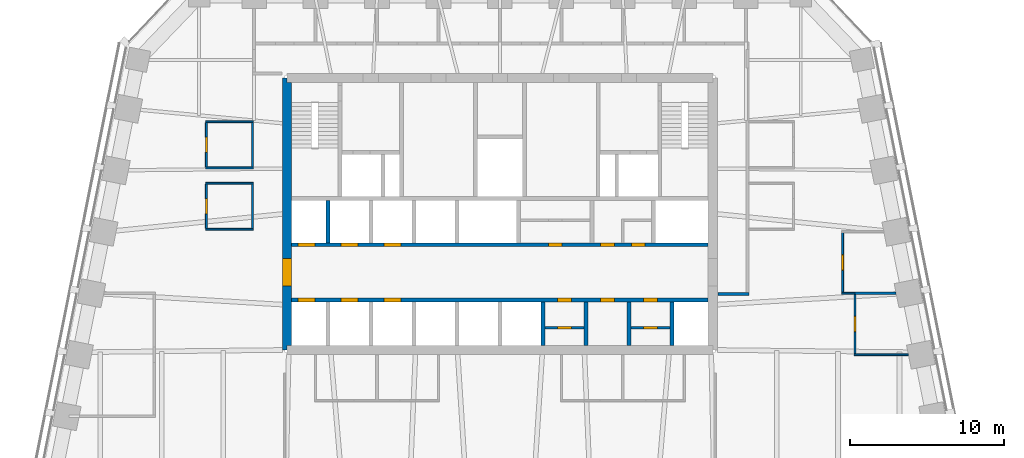
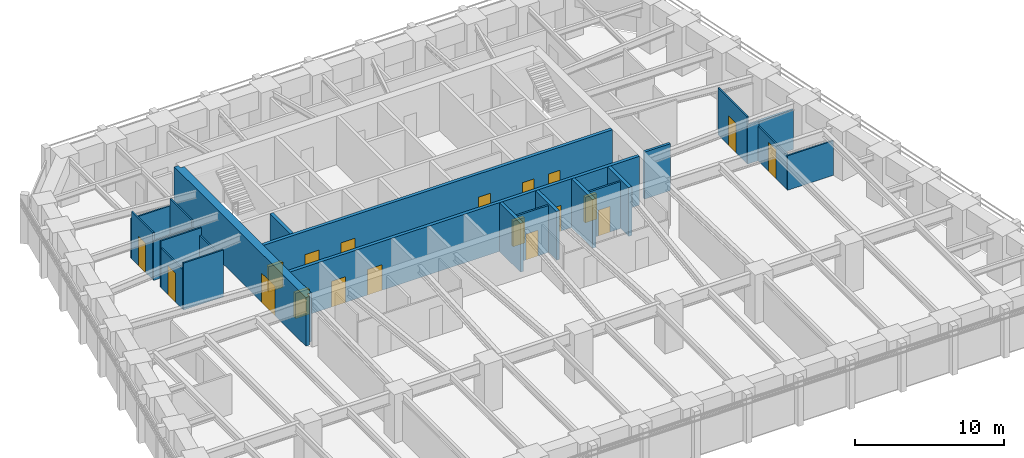
# One storey, part 6 of 10: 24 walls, 19 doors, 19 openings.
"""IFC4 building model written with IfcOpenShell, lengths in metres."""

from ifc_helpers import new_model, si_unit, direction, frame, frame_2d, origin, place, context, subcontext, project, spatial, polyline, rectangle, outline, extrude, material, layer, layer_set, type_object, element, fill, save


model = new_model("IFC4")

# Units and contexts
model_context = context("Model", 3, precision=1e-05, world=origin(), true_north=direction((0.0, 1.0)))
body_context = subcontext(model_context, "Body", "Model", "MODEL_VIEW")
ifc_project = project(units=[si_unit("LENGTHUNIT", "METRE"), si_unit("AREAUNIT", "SQUARE_METRE"), si_unit("VOLUMEUNIT", "CUBIC_METRE"), si_unit("PLANEANGLEUNIT", "RADIAN"), si_unit("MASSUNIT", "GRAM", prefix="KILO")], contexts=[model_context])

# Site, building, storey
site_placement = place(None, origin())
site = spatial("IfcSite", under=ifc_project, at=site_placement, CompositionType="ELEMENT")
building_placement = place(site_placement, origin())
building = spatial("IfcBuilding", under=site, at=building_placement, Name="Isbrekke Arena Tower", CompositionType="ELEMENT")
storey_placement = place(building_placement, frame((0.0, 0.0, 218.0)))
storey = spatial("IfcBuildingStorey", under=building, at=storey_placement, Name="L50", CompositionType="ELEMENT", Elevation=218.0)

# Wall, opening, door
ifc_material_1 = material(Name="Concrete B55 (C55/67)", Category="concrete")
ifc_layer_1 = layer(ifc_material_1, 0.60009765625)
ifc_layer_set_1 = layer_set([ifc_layer_1], Name="CW4 CORE WALL 600")
wall_type_1 = type_object("IfcWallType", Name="CW4 CORE WALL 600", PredefinedType="SHEAR", material=ifc_layer_set_1)
wall_1_placement = place(storey_placement, frame((-13.85009765625, 23.85009765625, 0.0), z_axis=(0.0, 0.0, 1.0), x_axis=(0.0, -1.0, 0.0)))
wall_1 = element("IfcWall", 1, at=wall_1_placement, inside=storey, type_object=wall_type_1, Name="Core wall W L50", PredefinedType="SHEAR", context=body_context, shape_type="SweptSolid", body=[
    extrude(outline(polyline([(0.0, -0.300048828125), (17.7001953125, -0.300048828125), (17.7001953125, 0.0), (17.400146484375, 0.0), (17.400146484375, 0.300048828125), (0.300048828125, 0.300048828125), (0.300048828125, 0.0), (0.0, 0.0), (0.0, -0.300048828125)])), origin(), (0.0, 0.0, 1.0), 4.0),
])
opening_1_placement = place(wall_1_placement, frame((11.75, 0.0, 0.0)))
opening_1 = element("IfcOpeningElement", 2, at=opening_1_placement, cuts=wall_1, Name="Opening D1", PredefinedType="OPENING", context=body_context, shape_type="SweptSolid", body=[
    extrude(rectangle(XDim=1.800048828125, YDim=2.39990234375, at=frame_2d((0.89990234375, 1.199951171875))), frame((0.0, 0.31494140625, 0.0), z_axis=(0.0, -1.0, 0.0), x_axis=(1.0, 0.0, 0.0)), (0.0, 0.0, 1.0), 0.6298828125),
])
ifc_material_2 = material(Name="Steel-framed glazed fire door", Category="steel")
door_type_1 = type_object("IfcDoorType", Name="D1 CORE LOBBY DOOR 1800 x 2400", OperationType="DOUBLE_DOOR_SINGLE_SWING", PredefinedType="DOOR", material=ifc_material_2)
door_1_placement = place(opening_1_placement, origin())
door_1 = element("IfcDoor", 3, at=door_1_placement, inside=storey, type_object=door_type_1, Name="D1 lift lobby door west L50", OperationType="DOUBLE_DOOR_SINGLE_SWING", OverallHeight=2.39990234375, OverallWidth=1.800048828125, PredefinedType="DOOR", context=body_context, shape_type="SweptSolid", body=[
    extrude(rectangle(XDim=1.800048828125, YDim=2.39990234375, at=frame_2d((0.89990234375, 1.199951171875))), frame((0.0, 0.2998046875, 0.0), z_axis=(0.0, -1.0, 0.0), x_axis=(1.0, 0.0, 0.0)), (0.0, 0.0, 1.0), 0.599609375),
])
fill(opening_1, door_1)

# Wall, openings, doors
ifc_material_3 = material(Name="Concrete B45 (C45/55)", Category="concrete")
ifc_layer_2 = layer(ifc_material_3, 0.25)
ifc_layer_set_2 = layer_set([ifc_layer_2], Name="CW6 SHAFT WALL 250")
wall_type_2 = type_object("IfcWallType", Name="CW6 SHAFT WALL 250", PredefinedType="SHEAR", material=ifc_layer_set_2)
wall_2_placement = place(storey_placement, frame((-13.550048828125, 9.39990234375, 0.0), z_axis=(0.0, 0.0, 1.0), x_axis=(1.0, 0.0, 0.0)))
wall_2 = element("IfcWall", 4, at=wall_2_placement, inside=storey, type_object=wall_type_2, Name="Core wall LS L50", PredefinedType="SHEAR", context=body_context, shape_type="SweptSolid", body=[
    extrude(rectangle(XDim=27.10009765625, YDim=0.25, at=frame_2d((13.550048828125, 0.0))), origin(), (0.0, 0.0, 1.0), 4.0),
])
opening_2_placement = place(wall_2_placement, frame((0.39990234375, 0.0, 0.0)))
opening_2 = element("IfcOpeningElement", 5, at=opening_2_placement, cuts=wall_2, Name="Opening LD1", PredefinedType="OPENING", context=body_context, shape_type="SweptSolid", body=[
    extrude(rectangle(XDim=1.10009765625, YDim=2.10009765625, at=frame_2d((0.550048828125, 1.050048828125))), frame((0.0, 0.139892578125, 0.0), z_axis=(0.0, -1.0, 0.0), x_axis=(1.0, 0.0, 0.0)), (0.0, 0.0, 1.0), 0.27978515625),
])
opening_3_placement = place(wall_2_placement, frame((3.199951171875, 0.0, 0.0)))
opening_3 = element("IfcOpeningElement", 6, at=opening_3_placement, cuts=wall_2, Name="Opening LD1", PredefinedType="OPENING", context=body_context, shape_type="SweptSolid", body=[
    extrude(rectangle(XDim=1.10009765625, YDim=2.10009765625, at=frame_2d((0.550048828125, 1.050048828125))), frame((0.0, 0.139892578125, 0.0), z_axis=(0.0, -1.0, 0.0), x_axis=(1.0, 0.0, 0.0)), (0.0, 0.0, 1.0), 0.27978515625),
])
opening_4_placement = place(wall_2_placement, frame((6.0, 0.0, 0.0)))
opening_4 = element("IfcOpeningElement", 7, at=opening_4_placement, cuts=wall_2, Name="Opening LD1", PredefinedType="OPENING", context=body_context, shape_type="SweptSolid", body=[
    extrude(rectangle(XDim=1.10009765625, YDim=2.10009765625, at=frame_2d((0.550048828125, 1.050048828125))), frame((0.0, 0.139892578125, 0.0), z_axis=(0.0, -1.0, 0.0), x_axis=(1.0, 0.0, 0.0)), (0.0, 0.0, 1.0), 0.27978515625),
])
opening_5_placement = place(wall_2_placement, frame((17.300048828125, 0.0, 0.0)))
opening_5 = element("IfcOpeningElement", 8, at=opening_5_placement, cuts=wall_2, Name="Opening D5", PredefinedType="OPENING", context=body_context, shape_type="SweptSolid", body=[
    extrude(rectangle(XDim=0.89990234375, YDim=2.10009765625, at=frame_2d((0.449951171875, 1.050048828125))), frame((0.0, 0.139892578125, 0.0), z_axis=(0.0, -1.0, 0.0), x_axis=(1.0, 0.0, 0.0)), (0.0, 0.0, 1.0), 0.27978515625),
])
opening_6_placement = place(wall_2_placement, frame((20.10009765625, 0.0, 0.0)))
opening_6 = element("IfcOpeningElement", 9, at=opening_6_placement, cuts=wall_2, Name="Opening D5", PredefinedType="OPENING", context=body_context, shape_type="SweptSolid", body=[
    extrude(rectangle(XDim=0.89990234375, YDim=2.10009765625, at=frame_2d((0.449951171875, 1.050048828125))), frame((0.0, 0.139892578125, 0.0), z_axis=(0.0, -1.0, 0.0), x_axis=(1.0, 0.0, 0.0)), (0.0, 0.0, 1.0), 0.27978515625),
])
opening_7_placement = place(wall_2_placement, frame((22.89990234375, 0.0, 0.0)))
opening_7 = element("IfcOpeningElement", 10, at=opening_7_placement, cuts=wall_2, Name="Opening D5", PredefinedType="OPENING", context=body_context, shape_type="SweptSolid", body=[
    extrude(rectangle(XDim=0.89990234375, YDim=2.10009765625, at=frame_2d((0.449951171875, 1.050048828125))), frame((0.0, 0.139892578125, 0.0), z_axis=(0.0, -1.0, 0.0), x_axis=(1.0, 0.0, 0.0)), (0.0, 0.0, 1.0), 0.27978515625),
])
ifc_material_4 = material(Name="Steel fire door", Category="steel")
door_type_2 = type_object("IfcDoorType", Name="D5 SERVICE DOOR 900 x 2100", OperationType="SINGLE_SWING_LEFT", PredefinedType="DOOR", material=ifc_material_4)
door_2_placement = place(opening_5_placement, origin())
door_2 = element("IfcDoor", 11, at=door_2_placement, inside=storey, type_object=door_type_2, Name="D5 tea point door L50", OperationType="SINGLE_SWING_LEFT", OverallHeight=2.10009765625, OverallWidth=0.89990234375, PredefinedType="DOOR", context=body_context, shape_type="SweptSolid", body=[
    extrude(rectangle(XDim=0.89990234375, YDim=2.10009765625, at=frame_2d((0.449951171875, 1.050048828125))), frame((0.0, 0.124755859375, 0.0), z_axis=(0.0, -1.0, 0.0), x_axis=(1.0, 0.0, 0.0)), (0.0, 0.0, 1.0), 0.24951171875),
])
fill(opening_5, door_2)
door_3_placement = place(opening_6_placement, origin())
door_3 = element("IfcDoor", 12, at=door_3_placement, inside=storey, type_object=door_type_2, Name="D5 technical room door L50", OperationType="SINGLE_SWING_LEFT", OverallHeight=2.10009765625, OverallWidth=0.89990234375, PredefinedType="DOOR", context=body_context, shape_type="SweptSolid", body=[
    extrude(rectangle(XDim=0.89990234375, YDim=2.10009765625, at=frame_2d((0.449951171875, 1.050048828125))), frame((0.0, 0.124755859375, 0.0), z_axis=(0.0, -1.0, 0.0), x_axis=(1.0, 0.0, 0.0)), (0.0, 0.0, 1.0), 0.24951171875),
])
fill(opening_6, door_3)
door_4_placement = place(opening_7_placement, origin())
door_4 = element("IfcDoor", 13, at=door_4_placement, inside=storey, type_object=door_type_2, Name="D5 first-aid room door L50", OperationType="SINGLE_SWING_LEFT", OverallHeight=2.10009765625, OverallWidth=0.89990234375, PredefinedType="DOOR", context=body_context, shape_type="SweptSolid", body=[
    extrude(rectangle(XDim=0.89990234375, YDim=2.10009765625, at=frame_2d((0.449951171875, 1.050048828125))), frame((0.0, 0.124755859375, 0.0), z_axis=(0.0, -1.0, 0.0), x_axis=(1.0, 0.0, 0.0)), (0.0, 0.0, 1.0), 0.24951171875),
])
fill(opening_7, door_4)
ifc_material_5 = material(Name="Stainless steel lift landing door", Category="steel")
door_type_3 = type_object("IfcDoorType", Name="LD1 LIFT LANDING DOOR 1100 x 2100", OperationType="SLIDING_TO_LEFT", PredefinedType="DOOR", material=ifc_material_5)
door_5_placement = place(opening_2_placement, origin())
door_5 = element("IfcDoor", 14, at=door_5_placement, inside=storey, type_object=door_type_3, Name="LD1 lift landing door LC L50", OperationType="SLIDING_TO_LEFT", OverallHeight=2.10009765625, OverallWidth=1.10009765625, PredefinedType="DOOR", context=body_context, shape_type="SweptSolid", body=[
    extrude(rectangle(XDim=1.10009765625, YDim=2.10009765625, at=frame_2d((0.550048828125, 1.050048828125))), frame((0.0, 0.124755859375, 0.0), z_axis=(0.0, -1.0, 0.0), x_axis=(1.0, 0.0, 0.0)), (0.0, 0.0, 1.0), 0.24951171875),
])
fill(opening_2, door_5)
door_6_placement = place(opening_3_placement, origin())
door_6 = element("IfcDoor", 15, at=door_6_placement, inside=storey, type_object=door_type_3, Name="LD1 lift landing door LC L50", OperationType="SLIDING_TO_LEFT", OverallHeight=2.10009765625, OverallWidth=1.10009765625, PredefinedType="DOOR", context=body_context, shape_type="SweptSolid", body=[
    extrude(rectangle(XDim=1.10009765625, YDim=2.10009765625, at=frame_2d((0.550048828125, 1.050048828125))), frame((0.0, 0.124755859375, 0.0), z_axis=(0.0, -1.0, 0.0), x_axis=(1.0, 0.0, 0.0)), (0.0, 0.0, 1.0), 0.24951171875),
])
fill(opening_3, door_6)
door_7_placement = place(opening_4_placement, origin())
door_7 = element("IfcDoor", 16, at=door_7_placement, inside=storey, type_object=door_type_3, Name="LD1 lift landing door LC L50", OperationType="SLIDING_TO_LEFT", OverallHeight=2.10009765625, OverallWidth=1.10009765625, PredefinedType="DOOR", context=body_context, shape_type="SweptSolid", body=[
    extrude(rectangle(XDim=1.10009765625, YDim=2.10009765625, at=frame_2d((0.550048828125, 1.050048828125))), frame((0.0, 0.124755859375, 0.0), z_axis=(0.0, -1.0, 0.0), x_axis=(1.0, 0.0, 0.0)), (0.0, 0.0, 1.0), 0.24951171875),
])
fill(opening_4, door_7)

wall_3_placement = place(storey_placement, frame((-13.550048828125, 13.0, 0.0), z_axis=(0.0, 0.0, 1.0), x_axis=(1.0, 0.0, 0.0)))
wall_3 = element("IfcWall", 17, at=wall_3_placement, inside=storey, type_object=wall_type_2, Name="Core wall LN L50", PredefinedType="SHEAR", context=body_context, shape_type="SweptSolid", body=[
    extrude(rectangle(XDim=27.10009765625, YDim=0.25, at=frame_2d((13.550048828125, 0.0))), origin(), (0.0, 0.0, 1.0), 4.0),
])
opening_8_placement = place(wall_3_placement, frame((0.39990234375, 0.0, 0.0)))
opening_8 = element("IfcOpeningElement", 18, at=opening_8_placement, cuts=wall_3, Name="Opening LD1", PredefinedType="OPENING", context=body_context, shape_type="SweptSolid", body=[
    extrude(rectangle(XDim=1.10009765625, YDim=2.10009765625, at=frame_2d((0.550048828125, 1.050048828125))), frame((0.0, 0.139892578125, 0.0), z_axis=(0.0, -1.0, 0.0), x_axis=(1.0, 0.0, 0.0)), (0.0, 0.0, 1.0), 0.27978515625),
])
opening_9_placement = place(wall_3_placement, frame((3.199951171875, 0.0, 0.0)))
opening_9 = element("IfcOpeningElement", 19, at=opening_9_placement, cuts=wall_3, Name="Opening LD1", PredefinedType="OPENING", context=body_context, shape_type="SweptSolid", body=[
    extrude(rectangle(XDim=1.10009765625, YDim=2.10009765625, at=frame_2d((0.550048828125, 1.050048828125))), frame((0.0, 0.139892578125, 0.0), z_axis=(0.0, -1.0, 0.0), x_axis=(1.0, 0.0, 0.0)), (0.0, 0.0, 1.0), 0.27978515625),
])
opening_10_placement = place(wall_3_placement, frame((6.0, 0.0, 0.0)))
opening_10 = element("IfcOpeningElement", 20, at=opening_10_placement, cuts=wall_3, Name="Opening LD1", PredefinedType="OPENING", context=body_context, shape_type="SweptSolid", body=[
    extrude(rectangle(XDim=1.10009765625, YDim=2.10009765625, at=frame_2d((0.550048828125, 1.050048828125))), frame((0.0, 0.139892578125, 0.0), z_axis=(0.0, -1.0, 0.0), x_axis=(1.0, 0.0, 0.0)), (0.0, 0.0, 1.0), 0.27978515625),
])
opening_11_placement = place(wall_3_placement, frame((16.699951171875, 0.0, 0.0)))
opening_11 = element("IfcOpeningElement", 21, at=opening_11_placement, cuts=wall_3, Name="Opening D5", PredefinedType="OPENING", context=body_context, shape_type="SweptSolid", body=[
    extrude(rectangle(XDim=0.89990234375, YDim=2.10009765625, at=frame_2d((0.449951171875, 1.050048828125))), frame((0.0, 0.139892578125, 0.0), z_axis=(0.0, -1.0, 0.0), x_axis=(1.0, 0.0, 0.0)), (0.0, 0.0, 1.0), 0.27978515625),
])
opening_12_placement = place(wall_3_placement, frame((20.10009765625, 0.0, 0.0)))
opening_12 = element("IfcOpeningElement", 22, at=opening_12_placement, cuts=wall_3, Name="Opening D5", PredefinedType="OPENING", context=body_context, shape_type="SweptSolid", body=[
    extrude(rectangle(XDim=0.89990234375, YDim=2.10009765625, at=frame_2d((0.449951171875, 1.050048828125))), frame((0.0, 0.139892578125, 0.0), z_axis=(0.0, -1.0, 0.0), x_axis=(1.0, 0.0, 0.0)), (0.0, 0.0, 1.0), 0.27978515625),
])
opening_13_placement = place(wall_3_placement, frame((22.10009765625, 0.0, 0.0)))
opening_13 = element("IfcOpeningElement", 23, at=opening_13_placement, cuts=wall_3, Name="Opening D5", PredefinedType="OPENING", context=body_context, shape_type="SweptSolid", body=[
    extrude(rectangle(XDim=0.89990234375, YDim=2.10009765625, at=frame_2d((0.449951171875, 1.050048828125))), frame((0.0, 0.139892578125, 0.0), z_axis=(0.0, -1.0, 0.0), x_axis=(1.0, 0.0, 0.0)), (0.0, 0.0, 1.0), 0.27978515625),
])
door_8_placement = place(opening_11_placement, origin())
door_8 = element("IfcDoor", 24, at=door_8_placement, inside=storey, type_object=door_type_2, Name="D5 print room door L50", OperationType="SINGLE_SWING_LEFT", OverallHeight=2.10009765625, OverallWidth=0.89990234375, PredefinedType="DOOR", context=body_context, shape_type="SweptSolid", body=[
    extrude(rectangle(XDim=0.89990234375, YDim=2.10009765625, at=frame_2d((0.449951171875, 1.050048828125))), frame((0.0, 0.124755859375, 0.0), z_axis=(0.0, -1.0, 0.0), x_axis=(1.0, 0.0, 0.0)), (0.0, 0.0, 1.0), 0.24951171875),
])
fill(opening_11, door_8)
door_9_placement = place(opening_12_placement, origin())
door_9 = element("IfcDoor", 25, at=door_9_placement, inside=storey, type_object=door_type_2, Name="D5 communications room door L50", OperationType="SINGLE_SWING_LEFT", OverallHeight=2.10009765625, OverallWidth=0.89990234375, PredefinedType="DOOR", context=body_context, shape_type="SweptSolid", body=[
    extrude(rectangle(XDim=0.89990234375, YDim=2.10009765625, at=frame_2d((0.449951171875, 1.050048828125))), frame((0.0, 0.124755859375, 0.0), z_axis=(0.0, -1.0, 0.0), x_axis=(1.0, 0.0, 0.0)), (0.0, 0.0, 1.0), 0.24951171875),
])
fill(opening_12, door_9)
door_10_placement = place(opening_13_placement, origin())
door_10 = element("IfcDoor", 26, at=door_10_placement, inside=storey, type_object=door_type_2, Name="D5 cleaner's store door L50", OperationType="SINGLE_SWING_LEFT", OverallHeight=2.10009765625, OverallWidth=0.89990234375, PredefinedType="DOOR", context=body_context, shape_type="SweptSolid", body=[
    extrude(rectangle(XDim=0.89990234375, YDim=2.10009765625, at=frame_2d((0.449951171875, 1.050048828125))), frame((0.0, 0.124755859375, 0.0), z_axis=(0.0, -1.0, 0.0), x_axis=(1.0, 0.0, 0.0)), (0.0, 0.0, 1.0), 0.24951171875),
])
fill(opening_13, door_10)
door_11_placement = place(opening_8_placement, origin())
door_11 = element("IfcDoor", 27, at=door_11_placement, inside=storey, type_object=door_type_3, Name="LD1 lift landing door LC L50", OperationType="SLIDING_TO_LEFT", OverallHeight=2.10009765625, OverallWidth=1.10009765625, PredefinedType="DOOR", context=body_context, shape_type="SweptSolid", body=[
    extrude(rectangle(XDim=1.10009765625, YDim=2.10009765625, at=frame_2d((0.550048828125, 1.050048828125))), frame((0.0, 0.124755859375, 0.0), z_axis=(0.0, -1.0, 0.0), x_axis=(1.0, 0.0, 0.0)), (0.0, 0.0, 1.0), 0.24951171875),
])
fill(opening_8, door_11)
door_12_placement = place(opening_9_placement, origin())
door_12 = element("IfcDoor", 28, at=door_12_placement, inside=storey, type_object=door_type_3, Name="LD1 lift landing door LC L50", OperationType="SLIDING_TO_LEFT", OverallHeight=2.10009765625, OverallWidth=1.10009765625, PredefinedType="DOOR", context=body_context, shape_type="SweptSolid", body=[
    extrude(rectangle(XDim=1.10009765625, YDim=2.10009765625, at=frame_2d((0.550048828125, 1.050048828125))), frame((0.0, 0.124755859375, 0.0), z_axis=(0.0, -1.0, 0.0), x_axis=(1.0, 0.0, 0.0)), (0.0, 0.0, 1.0), 0.24951171875),
])
fill(opening_9, door_12)
door_13_placement = place(opening_10_placement, origin())
door_13 = element("IfcDoor", 29, at=door_13_placement, inside=storey, type_object=door_type_3, Name="LD1 lift landing door LC L50", OperationType="SLIDING_TO_LEFT", OverallHeight=2.10009765625, OverallWidth=1.10009765625, PredefinedType="DOOR", context=body_context, shape_type="SweptSolid", body=[
    extrude(rectangle(XDim=1.10009765625, YDim=2.10009765625, at=frame_2d((0.550048828125, 1.050048828125))), frame((0.0, 0.124755859375, 0.0), z_axis=(0.0, -1.0, 0.0), x_axis=(1.0, 0.0, 0.0)), (0.0, 0.0, 1.0), 0.24951171875),
])
fill(opening_10, door_13)

# Walls
for number, where, z_axis, x_axis, name in (
    (30, (2.800048828125, 6.449951171875, 0.0), (0.0, 0.0, 1.0), (0.0, 1.0, 0.0), "Core wall SS06 L50"),
    (31, (5.60009765625, 6.449951171875, 0.0), (0.0, 0.0, 1.0), (0.0, 1.0, 0.0), "Core wall SS07 L50"),
    (32, (8.39990234375, 6.449951171875, 0.0), (0.0, 0.0, 1.0), (0.0, 1.0, 0.0), "Core wall SS08 L50"),
    (33, (11.199951171875, 6.449951171875, 0.0), (0.0, 0.0, 1.0), (0.0, 1.0, 0.0), "Core wall SS09 L50"),
):
    element("IfcWall", number, at=place(storey_placement, frame(where, z_axis=z_axis, x_axis=x_axis)), inside=storey, type_object=wall_type_2, Name=name, PredefinedType="SHEAR", context=body_context, shape_type="SweptSolid", body=[
        extrude(rectangle(XDim=2.824951171875, YDim=0.25, at=frame_2d((1.41259765625, 0.0))), origin(), (0.0, 0.0, 1.0), 4.0),
    ])
wall_4_placement = place(storey_placement, frame((-11.199951171875, 13.125, 0.0), z_axis=(0.0, 0.0, 1.0), x_axis=(0.0, 1.0, 0.0)))
element("IfcWall", 34, at=wall_4_placement, inside=storey, type_object=wall_type_2, Name="Core wall SN01 L50", PredefinedType="SHEAR", context=body_context, shape_type="SweptSolid", body=[
    extrude(rectangle(XDim=2.75, YDim=0.25, at=frame_2d((1.375, 0.0))), origin(), (0.0, 0.0, 1.0), 4.0),
])
ifc_material_6 = material(Name="Frameless glazed partition, laminated acoustic glass", Category="glass")
ifc_layer_3 = layer(ifc_material_6, 0.1201171875)
ifc_layer_set_3 = layer_set([ifc_layer_3], Name="IW2 GLAZED PARTITION 120")
wall_type_3 = type_object("IfcWallType", Name="IW2 GLAZED PARTITION 120", PredefinedType="PARTITIONING", material=ifc_layer_set_3)
wall_5_placement = place(storey_placement, frame((23.0400390625, 5.840087890625, 0.0), z_axis=(0.0, 0.0, 1.0), x_axis=(1.0, 0.0, 0.0)))
element("IfcWall", 35, at=wall_5_placement, inside=storey, type_object=wall_type_3, Name="IW2 glazed partition 120 L50", PredefinedType="PARTITIONING", context=body_context, shape_type="SweptSolid", body=[
    extrude(rectangle(XDim=3.53466796875, YDim=0.1201171875, at=frame_2d((1.767333984375, 0.0))), origin(), (0.0, 0.0, 1.0), 2.842041015625),
])
wall_6_placement = place(storey_placement, frame((22.239990234375, 9.840087890625, 0.0), z_axis=(0.0, 0.0, 1.0), x_axis=(1.0, 0.0, 0.0)))
element("IfcWall", 36, at=wall_6_placement, inside=storey, type_object=wall_type_3, Name="IW2 glazed partition 120 L50", PredefinedType="PARTITIONING", context=body_context, shape_type="SweptSolid", body=[
    extrude(rectangle(XDim=0.860107421875, YDim=0.1201171875, at=frame_2d((0.43017578125, 0.0))), origin(), (0.0, 0.0, 1.0), 3.25),
])
for number, where, z_axis, x_axis, name in (
    (37, (-19.159912109375, 14.0, 0.0), (0.0, 0.0, 1.0), (1.0, 0.0, 0.0), "IW2 glazed partition 120 L50"),
    (38, (-19.159912109375, 17.0, 0.0), (0.0, 0.0, 1.0), (1.0, 0.0, 0.0), "IW2 glazed partition 120 L50"),
):
    element("IfcWall", number, at=place(storey_placement, frame(where, z_axis=z_axis, x_axis=x_axis)), inside=storey, type_object=wall_type_3, Name=name, PredefinedType="PARTITIONING", context=body_context, shape_type="SweptSolid", body=[
        extrude(rectangle(XDim=3.119873046875, YDim=0.1201171875, at=frame_2d((1.56005859375, 0.0))), origin(), (0.0, 0.0, 1.0), 3.85009765625),
    ])
for number, where, z_axis, x_axis, name in (
    (39, (-19.159912109375, 18.0, 0.0), (0.0, 0.0, 1.0), (1.0, 0.0, 0.0), "IW2 glazed partition 120 L50"),
    (40, (-19.159912109375, 21.0, 0.0), (0.0, 0.0, 1.0), (1.0, 0.0, 0.0), "IW2 glazed partition 120 L50"),
):
    element("IfcWall", number, at=place(storey_placement, frame(where, z_axis=z_axis, x_axis=x_axis)), inside=storey, type_object=wall_type_3, Name=name, PredefinedType="PARTITIONING", context=body_context, shape_type="SweptSolid", body=[
        extrude(rectangle(XDim=3.119873046875, YDim=0.1201171875, at=frame_2d((1.56005859375, 0.0))), origin(), (0.0, 0.0, 1.0), 3.25),
    ])

# Wall, opening, door
wall_7_placement = place(storey_placement, frame((-19.10009765625, 14.06005859375, 0.0), z_axis=(0.0, 0.0, 1.0), x_axis=(0.0, 1.0, 0.0)))
wall_7 = element("IfcWall", 41, at=wall_7_placement, inside=storey, type_object=wall_type_3, Name="IW2 glazed partition 120 L50", PredefinedType="PARTITIONING", context=body_context, shape_type="SweptSolid", body=[
    extrude(rectangle(XDim=2.8798828125, YDim=0.1201171875, at=frame_2d((1.43994140625, 0.0))), origin(), (0.0, 0.0, 1.0), 3.25),
])
opening_14_placement = place(wall_7_placement, frame((0.93994140625, 0.0, 0.0)))
opening_14 = element("IfcOpeningElement", 42, at=opening_14_placement, cuts=wall_7, Name="Opening D11", PredefinedType="OPENING", context=body_context, shape_type="SweptSolid", body=[
    extrude(rectangle(XDim=1.0, YDim=2.39990234375, at=frame_2d((0.5, 1.199951171875))), frame((0.0, 0.074951171875, 0.0), z_axis=(0.0, -1.0, 0.0), x_axis=(1.0, 0.0, 0.0)), (0.0, 0.0, 1.0), 0.14990234375),
])
ifc_material_7 = material(Name="Frameless glazed door", Category="glass")
door_type_4 = type_object("IfcDoorType", Name="D11 GLAZED MEETING ROOM DOOR 1000 x 2400", OperationType="SINGLE_SWING_RIGHT", PredefinedType="DOOR", material=ifc_material_7)
door_14_placement = place(opening_14_placement, origin())
door_14 = element("IfcDoor", 43, at=door_14_placement, inside=storey, type_object=door_type_4, Name="D11 quiet room door L50", OperationType="SINGLE_SWING_RIGHT", OverallHeight=2.39990234375, OverallWidth=1.0, PredefinedType="DOOR", context=body_context, shape_type="SweptSolid", body=[
    extrude(rectangle(XDim=1.0, YDim=2.39990234375, at=frame_2d((0.5, 1.199951171875))), frame((0.0, 0.059814453125, 0.0), z_axis=(0.0, -1.0, 0.0), x_axis=(1.0, 0.0, 0.0)), (0.0, 0.0, 1.0), 0.11962890625),
])
fill(opening_14, door_14)

wall_8_placement = place(storey_placement, frame((-19.10009765625, 18.06005859375, 0.0), z_axis=(0.0, 0.0, 1.0), x_axis=(0.0, 1.0, 0.0)))
wall_8 = element("IfcWall", 44, at=wall_8_placement, inside=storey, type_object=wall_type_3, Name="IW2 glazed partition 120 L50", PredefinedType="PARTITIONING", context=body_context, shape_type="SweptSolid", body=[
    extrude(rectangle(XDim=2.8798828125, YDim=0.1201171875, at=frame_2d((1.43994140625, 0.0))), origin(), (0.0, 0.0, 1.0), 3.85009765625),
])
opening_15_placement = place(wall_8_placement, frame((0.93994140625, 0.0, 0.0)))
opening_15 = element("IfcOpeningElement", 45, at=opening_15_placement, cuts=wall_8, Name="Opening D11", PredefinedType="OPENING", context=body_context, shape_type="SweptSolid", body=[
    extrude(rectangle(XDim=1.0, YDim=2.39990234375, at=frame_2d((0.5, 1.199951171875))), frame((0.0, 0.074951171875, 0.0), z_axis=(0.0, -1.0, 0.0), x_axis=(1.0, 0.0, 0.0)), (0.0, 0.0, 1.0), 0.14990234375),
])
door_15_placement = place(opening_15_placement, origin())
door_15 = element("IfcDoor", 46, at=door_15_placement, inside=storey, type_object=door_type_4, Name="D11 quiet room door L50", OperationType="SINGLE_SWING_RIGHT", OverallHeight=2.39990234375, OverallWidth=1.0, PredefinedType="DOOR", context=body_context, shape_type="SweptSolid", body=[
    extrude(rectangle(XDim=1.0, YDim=2.39990234375, at=frame_2d((0.5, 1.199951171875))), frame((0.0, 0.059814453125, 0.0), z_axis=(0.0, -1.0, 0.0), x_axis=(1.0, 0.0, 0.0)), (0.0, 0.0, 1.0), 0.11962890625),
])
fill(opening_15, door_15)

# Walls
wall_9_placement = place(storey_placement, frame((-16.10009765625, 14.06005859375, 0.0), z_axis=(0.0, 0.0, 1.0), x_axis=(0.0, 1.0, 0.0)))
element("IfcWall", 47, at=wall_9_placement, inside=storey, type_object=wall_type_3, Name="IW2 glazed partition 120 L50", PredefinedType="PARTITIONING", context=body_context, shape_type="SweptSolid", body=[
    extrude(rectangle(XDim=2.8798828125, YDim=0.1201171875, at=frame_2d((1.43994140625, 0.0))), origin(), (0.0, 0.0, 1.0), 3.25),
])
wall_10_placement = place(storey_placement, frame((-16.10009765625, 18.06005859375, 0.0), z_axis=(0.0, 0.0, 1.0), x_axis=(0.0, 1.0, 0.0)))
element("IfcWall", 48, at=wall_10_placement, inside=storey, type_object=wall_type_3, Name="IW2 glazed partition 120 L50", PredefinedType="PARTITIONING", context=body_context, shape_type="SweptSolid", body=[
    extrude(rectangle(XDim=2.8798828125, YDim=0.1201171875, at=frame_2d((1.43994140625, 0.0))), origin(), (0.0, 0.0, 1.0), 3.85009765625),
])

# Wall, opening, door
wall_11_placement = place(storey_placement, frame((22.300048828125, 9.89990234375, 0.0), z_axis=(0.0, 0.0, 1.0), x_axis=(0.0, 1.0, 0.0)))
wall_11 = element("IfcWall", 49, at=wall_11_placement, inside=storey, type_object=wall_type_3, Name="IW2 glazed partition 120 L50", PredefinedType="PARTITIONING", context=body_context, shape_type="SweptSolid", body=[
    extrude(rectangle(XDim=3.880126953125, YDim=0.1201171875, at=frame_2d((1.93994140625, 0.0))), origin(), (0.0, 0.0, 1.0), 3.85009765625),
])
opening_16_placement = place(wall_11_placement, frame((1.43994140625, 0.0, 0.0)))
opening_16 = element("IfcOpeningElement", 50, at=opening_16_placement, cuts=wall_11, Name="Opening D11", PredefinedType="OPENING", context=body_context, shape_type="SweptSolid", body=[
    extrude(rectangle(XDim=1.0, YDim=2.39990234375, at=frame_2d((0.5, 1.199951171875))), frame((0.0, 0.074951171875, 0.0), z_axis=(0.0, -1.0, 0.0), x_axis=(1.0, 0.0, 0.0)), (0.0, 0.0, 1.0), 0.14990234375),
])
door_16_placement = place(opening_16_placement, origin())
door_16 = element("IfcDoor", 51, at=door_16_placement, inside=storey, type_object=door_type_4, Name="D11 meeting room door L50", OperationType="SINGLE_SWING_RIGHT", OverallHeight=2.39990234375, OverallWidth=1.0, PredefinedType="DOOR", context=body_context, shape_type="SweptSolid", body=[
    extrude(rectangle(XDim=1.0, YDim=2.39990234375, at=frame_2d((0.5, 1.199951171875))), frame((0.0, 0.059814453125, 0.0), z_axis=(0.0, -1.0, 0.0), x_axis=(1.0, 0.0, 0.0)), (0.0, 0.0, 1.0), 0.11962890625),
])
fill(opening_16, door_16)

wall_12_placement = place(storey_placement, frame((23.10009765625, 5.89990234375, 0.0), z_axis=(0.0, 0.0, 1.0), x_axis=(0.0, 1.0, 0.0)))
wall_12 = element("IfcWall", 52, at=wall_12_placement, inside=storey, type_object=wall_type_3, Name="IW2 glazed partition 120 L50", PredefinedType="PARTITIONING", context=body_context, shape_type="SweptSolid", body=[
    extrude(rectangle(XDim=3.8525390625, YDim=0.1201171875, at=frame_2d((1.92626953125, 0.0))), origin(), (0.0, 0.0, 1.0), 2.842041015625),
])
opening_17_placement = place(wall_12_placement, frame((1.43994140625, 0.0, 0.0)))
opening_17 = element("IfcOpeningElement", 53, at=opening_17_placement, cuts=wall_12, Name="Opening D11", PredefinedType="OPENING", context=body_context, shape_type="SweptSolid", body=[
    extrude(rectangle(XDim=1.0, YDim=2.39990234375, at=frame_2d((0.5, 1.199951171875))), frame((0.0, 0.074951171875, 0.0), z_axis=(0.0, -1.0, 0.0), x_axis=(1.0, 0.0, 0.0)), (0.0, 0.0, 1.0), 0.14990234375),
])
door_17_placement = place(opening_17_placement, origin())
door_17 = element("IfcDoor", 54, at=door_17_placement, inside=storey, type_object=door_type_4, Name="D11 meeting room door L50", OperationType="SINGLE_SWING_RIGHT", OverallHeight=2.39990234375, OverallWidth=1.0, PredefinedType="DOOR", context=body_context, shape_type="SweptSolid", body=[
    extrude(rectangle(XDim=1.0, YDim=2.39990234375, at=frame_2d((0.5, 1.199951171875))), frame((0.0, 0.059814453125, 0.0), z_axis=(0.0, -1.0, 0.0), x_axis=(1.0, 0.0, 0.0)), (0.0, 0.0, 1.0), 0.11962890625),
])
fill(opening_17, door_17)

# Walls
ifc_material_8 = material(Name="Gypsum board fire-cell wall on steel studs, two layers each side", Category="steel")
ifc_layer_4 = layer(ifc_material_8, 0.199951171875)
ifc_layer_set_4 = layer_set([ifc_layer_4], Name="IW3 FIRE-CELL WALL 200")
wall_type_4 = type_object("IfcWallType", Name="IW3 FIRE-CELL WALL 200", PredefinedType="PARTITIONING", material=ifc_layer_set_4)
wall_13_placement = place(storey_placement, frame((14.179931640625, 9.800048828125, 0.0), z_axis=(0.0, 0.0, 1.0), x_axis=(1.0, 0.0, 0.0)))
element("IfcWall", 55, at=wall_13_placement, inside=storey, type_object=wall_type_4, Name="IW3 fire-cell wall 200 L50", PredefinedType="PARTITIONING", context=body_context, shape_type="SweptSolid", body=[
    extrude(rectangle(XDim=2.02001953125, YDim=0.199951171875, at=frame_2d((1.010009765625, 0.0))), origin(), (0.0, 0.0, 1.0), 3.85009765625),
])
ifc_material_9 = material(Name="Gypsum board acoustic partition on twin steel studs", Category="steel")
ifc_layer_5 = layer(ifc_material_9, 0.175048828125)
ifc_layer_set_5 = layer_set([ifc_layer_5], Name="IW4 ACOUSTIC PARTITION 175")
wall_type_5 = type_object("IfcWallType", Name="IW4 ACOUSTIC PARTITION 175", PredefinedType="PARTITIONING", material=ifc_layer_set_5)
wall_14_placement = place(storey_placement, frame((23.10009765625, 9.840087890625, 0.0), z_axis=(0.0, 0.0, 1.0), x_axis=(1.0, 0.0, 0.0)))
element("IfcWall", 56, at=wall_14_placement, inside=storey, type_object=wall_type_5, Name="IW4 acoustic partition 175 L50", PredefinedType="PARTITIONING", context=body_context, shape_type="SweptSolid", body=[
    extrude(rectangle(XDim=2.6748046875, YDim=0.175048828125, at=frame_2d((1.33740234375, 0.0))), origin(), (0.0, 0.0, 1.0), 3.25),
])

# Wall, opening, door
ifc_material_10 = material(Name="Gypsum board fire-rated partition on steel studs, two layers each side", Category="steel")
ifc_layer_6 = layer(ifc_material_10, 0.14990234375)
ifc_layer_set_6 = layer_set([ifc_layer_6], Name="IW5 FIRE-RATED PARTITION 150")
wall_type_6 = type_object("IfcWallType", Name="IW5 FIRE-RATED PARTITION 150", PredefinedType="PARTITIONING", material=ifc_layer_set_6)
wall_15_placement = place(storey_placement, frame((2.925048828125, 7.60009765625, 0.0), z_axis=(0.0, 0.0, 1.0), x_axis=(1.0, 0.0, 0.0)))
wall_15 = element("IfcWall", 57, at=wall_15_placement, inside=storey, type_object=wall_type_6, Name="IW5 fire-rated partition L50 core service rooms 4", PredefinedType="PARTITIONING", context=body_context, shape_type="SweptSolid", body=[
    extrude(rectangle(XDim=2.550048828125, YDim=0.14990234375, at=frame_2d((1.27490234375, 0.0))), origin(), (0.0, 0.0, 1.0), 3.85009765625),
])
opening_18_placement = place(wall_15_placement, frame((0.824951171875, 0.0, 0.0)))
opening_18 = element("IfcOpeningElement", 58, at=opening_18_placement, cuts=wall_15, Name="Opening D5", PredefinedType="OPENING", context=body_context, shape_type="SweptSolid", body=[
    extrude(rectangle(XDim=0.89990234375, YDim=2.10009765625, at=frame_2d((0.449951171875, 1.050048828125))), frame((0.0, 0.08984375, 0.0), z_axis=(0.0, -1.0, 0.0), x_axis=(1.0, 0.0, 0.0)), (0.0, 0.0, 1.0), 0.1796875),
])
door_18_placement = place(opening_18_placement, origin())
door_18 = element("IfcDoor", 59, at=door_18_placement, inside=storey, type_object=door_type_2, Name="D5 store door L50", OperationType="SINGLE_SWING_LEFT", OverallHeight=2.10009765625, OverallWidth=0.89990234375, PredefinedType="DOOR", context=body_context, shape_type="SweptSolid", body=[
    extrude(rectangle(XDim=0.89990234375, YDim=2.10009765625, at=frame_2d((0.449951171875, 1.050048828125))), frame((0.0, 0.07470703125, 0.0), z_axis=(0.0, -1.0, 0.0), x_axis=(1.0, 0.0, 0.0)), (0.0, 0.0, 1.0), 0.1494140625),
])
fill(opening_18, door_18)

wall_16_placement = place(storey_placement, frame((8.52490234375, 7.60009765625, 0.0), z_axis=(0.0, 0.0, 1.0), x_axis=(1.0, 0.0, 0.0)))
wall_16 = element("IfcWall", 60, at=wall_16_placement, inside=storey, type_object=wall_type_6, Name="IW5 fire-rated partition L50 core service rooms 5", PredefinedType="PARTITIONING", context=body_context, shape_type="SweptSolid", body=[
    extrude(rectangle(XDim=2.550048828125, YDim=0.14990234375, at=frame_2d((1.27490234375, 0.0))), origin(), (0.0, 0.0, 1.0), 3.85009765625),
])
opening_19_placement = place(wall_16_placement, frame((0.824951171875, 0.0, 0.0)))
opening_19 = element("IfcOpeningElement", 61, at=opening_19_placement, cuts=wall_16, Name="Opening D5", PredefinedType="OPENING", context=body_context, shape_type="SweptSolid", body=[
    extrude(rectangle(XDim=0.89990234375, YDim=2.10009765625, at=frame_2d((0.449951171875, 1.050048828125))), frame((0.0, 0.08984375, 0.0), z_axis=(0.0, -1.0, 0.0), x_axis=(1.0, 0.0, 0.0)), (0.0, 0.0, 1.0), 0.1796875),
])
door_19_placement = place(opening_19_placement, origin())
door_19 = element("IfcDoor", 62, at=door_19_placement, inside=storey, type_object=door_type_2, Name="D5 store door L50", OperationType="SINGLE_SWING_LEFT", OverallHeight=2.10009765625, OverallWidth=0.89990234375, PredefinedType="DOOR", context=body_context, shape_type="SweptSolid", body=[
    extrude(rectangle(XDim=0.89990234375, YDim=2.10009765625, at=frame_2d((0.449951171875, 1.050048828125))), frame((0.0, 0.07470703125, 0.0), z_axis=(0.0, -1.0, 0.0), x_axis=(1.0, 0.0, 0.0)), (0.0, 0.0, 1.0), 0.1494140625),
])
fill(opening_19, door_19)

save(model, "model.ifc")
